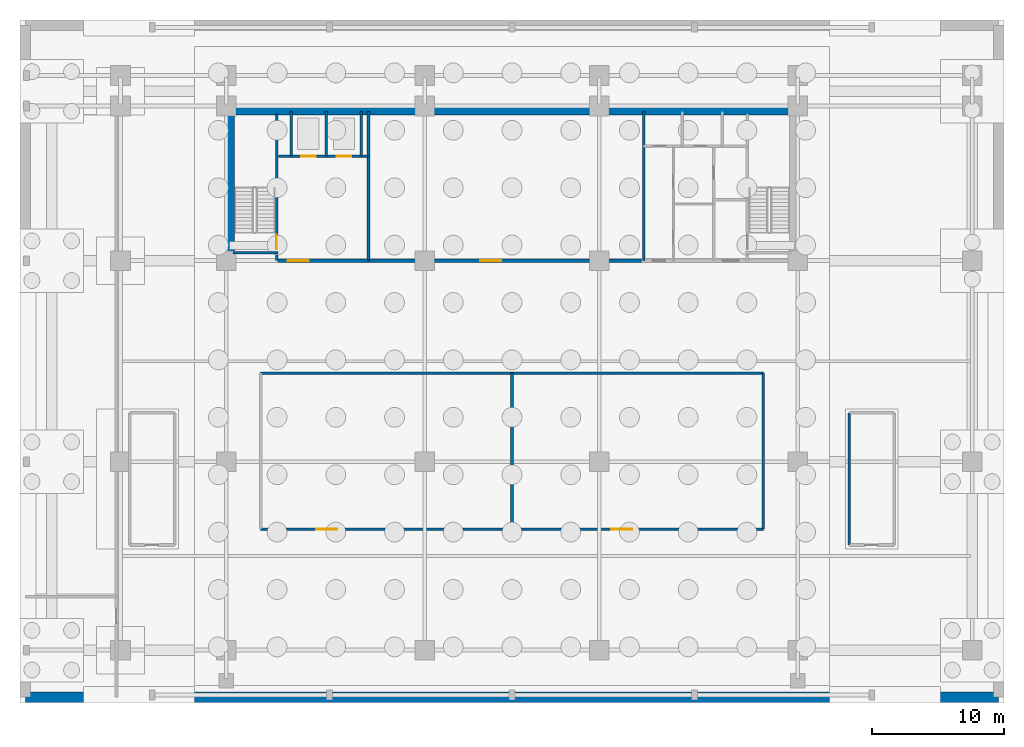
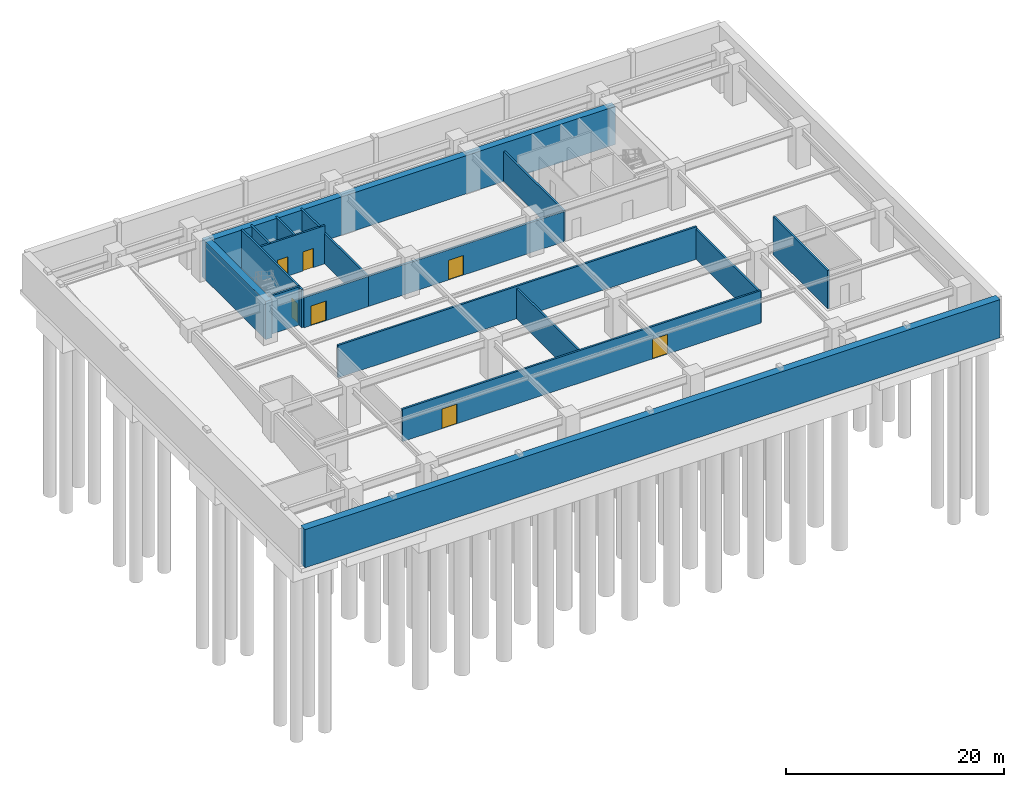
# One storey, part 5 of 9: 18 walls, 7 doors, 7 openings.
"""IFC4 building model written with IfcOpenShell, lengths in metres."""

from ifc_helpers import new_model, si_unit, direction, frame, frame_2d, origin, place, context, subcontext, project, spatial, rectangle, extrude, source, transform, mapped, material, layer, layer_set, type_object, element, fill, save


model = new_model("IFC4")

# Units and contexts
model_context = context("Model", 3, precision=1e-05, world=origin(), true_north=direction((0.0, 1.0)))
body_context = subcontext(model_context, "Body", "Model", "MODEL_VIEW")
ifc_project = project(units=[si_unit("LENGTHUNIT", "METRE"), si_unit("AREAUNIT", "SQUARE_METRE"), si_unit("VOLUMEUNIT", "CUBIC_METRE"), si_unit("PLANEANGLEUNIT", "RADIAN"), si_unit("MASSUNIT", "GRAM", prefix="KILO")], contexts=[model_context])

# Site, building, storey
site_placement = place(None, origin())
site = spatial("IfcSite", under=ifc_project, at=site_placement, CompositionType="ELEMENT")
building_placement = place(site_placement, origin())
building = spatial("IfcBuilding", under=site, at=building_placement, Name="Trelvane Seafront Commons", CompositionType="ELEMENT")
storey_placement = place(building_placement, frame((0.0, 0.0, -13.199951171875)))
storey = spatial("IfcBuildingStorey", under=building, at=storey_placement, Name="B03", CompositionType="ELEMENT", Elevation=-13.199951171875)

# Wall, openings, doors
ifc_material_1 = material(Name="Concrete C40/50", Category="concrete")
ifc_layer_1 = layer(ifc_material_1, 0.199951171875, Name="ARCH-WALL-FIRE200")
ifc_layer_set_1 = layer_set([ifc_layer_1], Name="Concrete C40/50")
wall_type_1 = type_object("IfcWallType", Name="ARCH-WALL-FIRE200", PredefinedType="PARTITIONING", material=ifc_layer_set_1)
wall_1_placement = place(storey_placement, frame((18.199951171875, 13.10009765625, 0.0), z_axis=(0.0, 0.0, 1.0), x_axis=(1.0, 0.0, 0.0)))
wall_1 = element("IfcWall", 1, at=wall_1_placement, inside=storey, type_object=wall_type_1, Name="W-B03-BM-IS-S-034", PredefinedType="PARTITIONING", context=body_context, shape_type="SweptSolid", body=[
    extrude(rectangle(XDim=38.0, YDim=0.199951171875, at=frame_2d((19.0, 0.0))), origin(), (0.0, 0.0, 1.0), 3.6298828125),
])
opening_1_placement = place(wall_1_placement, frame((4.199951171875, 0.0, 0.0)))
opening_1 = element("IfcOpeningElement", 2, at=opening_1_placement, cuts=wall_1, Name="Opening FD-B03-17", PredefinedType="OPENING", context=body_context, shape_type="SweptSolid", body=[
    extrude(rectangle(XDim=1.60009765625, YDim=2.199951171875, at=frame_2d((0.800048828125, 1.10009765625))), frame((0.0, 0.10986328125, 0.0), z_axis=(0.0, -1.0, 0.0), x_axis=(1.0, 0.0, 0.0)), (0.0, 0.0, 1.0), 0.219970703125),
])
opening_2_placement = place(wall_1_placement, frame((26.5, 0.0, 0.0)))
opening_2 = element("IfcOpeningElement", 3, at=opening_2_placement, cuts=wall_1, Name="Opening FD-B03-18", PredefinedType="OPENING", context=body_context, shape_type="SweptSolid", body=[
    extrude(rectangle(XDim=1.60009765625, YDim=2.199951171875, at=frame_2d((0.800048828125, 1.10009765625))), frame((0.0, 0.10986328125, 0.0), z_axis=(0.0, -1.0, 0.0), x_axis=(1.0, 0.0, 0.0)), (0.0, 0.0, 1.0), 0.219970703125),
])
ifc_material_2 = material(Name="Powder-coated aluminium frame", Category="aluminium")
door_type_1 = type_object("IfcDoorType", Name="ARCH-DR-FD60-1600", OperationType="DOUBLE_DOOR_SINGLE_SWING", PredefinedType="DOOR", material=ifc_material_2)
shared_shape_1 = source(origin(), body_context, "Body", "SweptSolid", [
    extrude(rectangle(XDim=1.60009765625, YDim=2.199951171875, at=frame_2d((0.800048828125, 1.10009765625))), frame((0.0, 0.02490234375, 0.0), z_axis=(0.0, -1.0, 0.0), x_axis=(1.0, 0.0, 0.0)), (0.0, 0.0, 1.0), 0.050048828125),
])
door_1_placement = place(opening_1_placement, origin())
door_1 = element("IfcDoor", 4, at=door_1_placement, inside=storey, type_object=door_type_1, Name="B03 Door 17", OperationType="DOUBLE_DOOR_SINGLE_SWING", OverallHeight=2.199951171875, OverallWidth=1.60009765625, PredefinedType="DOOR", context=body_context, shape_type="MappedRepresentation", body=[
    mapped(shared_shape_1, transform((0.0, 0.0, 0.0), x_axis=(1.0, 0.0, 0.0), y_axis=(0.0, 1.0, 0.0), z_axis=(0.0, 0.0, 1.0), scale=1.0)),
])
fill(opening_1, door_1)
door_2_placement = place(opening_2_placement, origin())
door_2 = element("IfcDoor", 5, at=door_2_placement, inside=storey, type_object=door_type_1, Name="B03 Door 18", OperationType="DOUBLE_DOOR_SINGLE_SWING", OverallHeight=2.199951171875, OverallWidth=1.60009765625, PredefinedType="DOOR", context=body_context, shape_type="MappedRepresentation", body=[
    mapped(shared_shape_1, transform((0.0, 0.0, 0.0), x_axis=(1.0, 0.0, 0.0), y_axis=(0.0, 1.0, 0.0), z_axis=(0.0, 0.0, 1.0), scale=1.0)),
])
fill(opening_2, door_2)

# Walls
wall_2_placement = place(storey_placement, frame((18.199951171875, 24.89990234375, 0.0), z_axis=(0.0, 0.0, 1.0), x_axis=(1.0, 0.0, 0.0)))
element("IfcWall", 6, at=wall_2_placement, inside=storey, type_object=wall_type_1, Name="W-B03-BM-IS-N-035", PredefinedType="PARTITIONING", context=body_context, shape_type="SweptSolid", body=[
    extrude(rectangle(XDim=38.0, YDim=0.199951171875, at=frame_2d((19.0, 0.0))), origin(), (0.0, 0.0, 1.0), 3.6298828125),
])
for number, where, z_axis, x_axis, name in (
    (7, (56.199951171875, 13.10009765625, 0.0), (0.0, 0.0, 1.0), (0.0, 1.0, 0.0), "W-B03-BM-IS-E-037"),
    (8, (37.199951171875, 13.10009765625, 0.0), (0.0, 0.0, 1.0), (0.0, 1.0, 0.0), "W-B03-BM-IS-M-038"),
):
    element("IfcWall", number, at=place(storey_placement, frame(where, z_axis=z_axis, x_axis=x_axis)), inside=storey, type_object=wall_type_1, Name=name, PredefinedType="PARTITIONING", context=body_context, shape_type="SweptSolid", body=[
        extrude(rectangle(XDim=11.7998046875, YDim=0.199951171875, at=frame_2d((5.89990234375, 0.0))), origin(), (0.0, 0.0, 1.0), 3.3798828125),
    ])

# Wall, opening, door
ifc_layer_2 = layer(ifc_material_1, 0.25, Name="ARCH-WALL-FIRE250")
ifc_layer_set_2 = layer_set([ifc_layer_2], Name="Concrete C40/50")
wall_type_2 = type_object("IfcWallType", Name="ARCH-WALL-FIRE250", PredefinedType="PARTITIONING", material=ifc_layer_set_2)
wall_3_placement = place(storey_placement, frame((19.5, 33.39990234375, 0.0), z_axis=(0.0, 0.0, 1.0), x_axis=(1.0, 0.0, 0.0)))
wall_3 = element("IfcWall", 9, at=wall_3_placement, inside=storey, type_object=wall_type_2, Name="W-B03-CS-FFL-021", PredefinedType="PARTITIONING", context=body_context, shape_type="SweptSolid", body=[
    extrude(rectangle(XDim=6.800048828125, YDim=0.25, at=frame_2d((3.39990234375, 0.0))), origin(), (0.0, 0.0, 1.0), 3.3798828125),
])
opening_3_placement = place(wall_3_placement, frame((0.75, 0.0, 0.0)))
opening_3 = element("IfcOpeningElement", 10, at=opening_3_placement, cuts=wall_3, Name="Opening FD-B03-07", PredefinedType="OPENING", context=body_context, shape_type="SweptSolid", body=[
    extrude(rectangle(XDim=1.60009765625, YDim=2.199951171875, at=frame_2d((0.800048828125, 1.10009765625))), frame((0.0, 0.135009765625, 0.0), z_axis=(0.0, -1.0, 0.0), x_axis=(1.0, 0.0, 0.0)), (0.0, 0.0, 1.0), 0.27001953125),
])
door_3_placement = place(opening_3_placement, origin())
door_3 = element("IfcDoor", 11, at=door_3_placement, inside=storey, type_object=door_type_1, Name="B03 Firefighting Lift Lobby Double Fire Door", OperationType="DOUBLE_DOOR_SINGLE_SWING", OverallHeight=2.199951171875, OverallWidth=1.60009765625, PredefinedType="DOOR", context=body_context, shape_type="MappedRepresentation", body=[
    mapped(shared_shape_1, transform((0.0, 0.0, 0.0), x_axis=(1.0, 0.0, 0.0), y_axis=(0.0, 1.0, 0.0), z_axis=(0.0, 0.0, 1.0), scale=1.0)),
])
fill(opening_3, door_3)

wall_4_placement = place(storey_placement, frame((26.300048828125, 33.39990234375, 0.0), z_axis=(0.0, 0.0, 1.0), x_axis=(1.0, 0.0, 0.0)))
wall_4 = element("IfcWall", 12, at=wall_4_placement, inside=storey, type_object=wall_type_2, Name="W-B03-CS-MID-023", PredefinedType="PARTITIONING", context=body_context, shape_type="SweptSolid", body=[
    extrude(rectangle(XDim=20.699951171875, YDim=0.25, at=frame_2d((10.35009765625, 0.0))), origin(), (0.0, 0.0, 1.0), 3.3798828125),
])
opening_4_placement = place(wall_4_placement, frame((8.5, 0.0, 0.0)))
opening_4 = element("IfcOpeningElement", 13, at=opening_4_placement, cuts=wall_4, Name="Opening FD-B03-08", PredefinedType="OPENING", context=body_context, shape_type="SweptSolid", body=[
    extrude(rectangle(XDim=1.60009765625, YDim=2.199951171875, at=frame_2d((0.800048828125, 1.10009765625))), frame((0.0, 0.135009765625, 0.0), z_axis=(0.0, -1.0, 0.0), x_axis=(1.0, 0.0, 0.0)), (0.0, 0.0, 1.0), 0.27001953125),
])
door_4_placement = place(opening_4_placement, origin())
door_4 = element("IfcDoor", 14, at=door_4_placement, inside=storey, type_object=door_type_1, Name="B03 Core Technical Room Door", OperationType="DOUBLE_DOOR_SINGLE_SWING", OverallHeight=2.199951171875, OverallWidth=1.60009765625, PredefinedType="DOOR", context=body_context, shape_type="MappedRepresentation", body=[
    mapped(shared_shape_1, transform((0.0, 0.0, 0.0), x_axis=(1.0, 0.0, 0.0), y_axis=(0.0, 1.0, 0.0), z_axis=(0.0, 0.0, 1.0), scale=1.0)),
])
fill(opening_4, door_4)

# Wall, openings, doors
ifc_layer_3 = layer(ifc_material_1, 0.199951171875, Name="ARCH-WALL-SHAFT200")
ifc_layer_set_3 = layer_set([ifc_layer_3], Name="Concrete C40/50")
wall_type_3 = type_object("IfcWallType", Name="ARCH-WALL-SHAFT200", PredefinedType="SOLIDWALL", material=ifc_layer_set_3)
wall_5_placement = place(storey_placement, frame((19.550048828125, 41.300048828125, 0.0), z_axis=(0.0, 0.0, 1.0), x_axis=(1.0, 0.0, 0.0)))
wall_5 = element("IfcWall", 15, at=wall_5_placement, inside=storey, type_object=wall_type_3, Name="W-B03-FFL-FRONT-016", PredefinedType="SOLIDWALL", context=body_context, shape_type="SweptSolid", body=[
    extrude(rectangle(XDim=6.75, YDim=0.199951171875, at=frame_2d((3.375, 0.0))), origin(), (0.0, 0.0, 1.0), 4.280029296875),
])
opening_5_placement = place(wall_5_placement, frame((1.699951171875, 0.0, 0.0)))
opening_5 = element("IfcOpeningElement", 16, at=opening_5_placement, cuts=wall_5, Name="Opening LD-FF1-B03", PredefinedType="OPENING", context=body_context, shape_type="SweptSolid", body=[
    extrude(rectangle(XDim=1.10009765625, YDim=2.14990234375, at=frame_2d((0.550048828125, 1.074951171875))), frame((0.0, 0.10986328125, 0.0), z_axis=(0.0, -1.0, 0.0), x_axis=(1.0, 0.0, 0.0)), (0.0, 0.0, 1.0), 0.219970703125),
])
opening_6_placement = place(wall_5_placement, frame((4.39990234375, 0.0, 0.0)))
opening_6 = element("IfcOpeningElement", 17, at=opening_6_placement, cuts=wall_5, Name="Opening LD-FF2-B03", PredefinedType="OPENING", context=body_context, shape_type="SweptSolid", body=[
    extrude(rectangle(XDim=1.10009765625, YDim=2.14990234375, at=frame_2d((0.550048828125, 1.074951171875))), frame((0.0, 0.10986328125, 0.0), z_axis=(0.0, -1.0, 0.0), x_axis=(1.0, 0.0, 0.0)), (0.0, 0.0, 1.0), 0.219970703125),
])
ifc_material_3 = material(Name="Stainless steel balustrade", Category="steel")
door_type_2 = type_object("IfcDoorType", Name="ARCH-DR-LD1100", OperationType="DOUBLE_DOOR_SLIDING", PredefinedType="DOOR", material=ifc_material_3)
shared_shape_2 = source(origin(), body_context, "Body", "SweptSolid", [
    extrude(rectangle(XDim=1.10009765625, YDim=2.14990234375, at=frame_2d((0.550048828125, 1.074951171875))), frame((0.0, 0.02490234375, 0.0), z_axis=(0.0, -1.0, 0.0), x_axis=(1.0, 0.0, 0.0)), (0.0, 0.0, 1.0), 0.050048828125),
])
door_5_placement = place(opening_5_placement, origin())
door_5 = element("IfcDoor", 18, at=door_5_placement, inside=storey, type_object=door_type_2, Name="B03 Firefighting Lift FFL-1 Landing Door", OperationType="DOUBLE_DOOR_SLIDING", OverallHeight=2.14990234375, OverallWidth=1.10009765625, PredefinedType="DOOR", context=body_context, shape_type="MappedRepresentation", body=[
    mapped(shared_shape_2, transform((0.0, 0.0, 0.0), x_axis=(1.0, 0.0, 0.0), y_axis=(0.0, 1.0, 0.0), z_axis=(0.0, 0.0, 1.0), scale=1.0)),
])
fill(opening_5, door_5)
door_6_placement = place(opening_6_placement, origin())
door_6 = element("IfcDoor", 19, at=door_6_placement, inside=storey, type_object=door_type_2, Name="B03 Firefighting Lift FFL-2 Landing Door", OperationType="DOUBLE_DOOR_SLIDING", OverallHeight=2.14990234375, OverallWidth=1.10009765625, PredefinedType="DOOR", context=body_context, shape_type="MappedRepresentation", body=[
    mapped(shared_shape_2, transform((0.0, 0.0, 0.0), x_axis=(1.0, 0.0, 0.0), y_axis=(0.0, 1.0, 0.0), z_axis=(0.0, 0.0, 1.0), scale=1.0)),
])
fill(opening_6, door_6)

# Walls
for number, where, z_axis, x_axis, name in (
    (20, (20.5, 41.300048828125, 0.0), (0.0, 0.0, 1.0), (0.0, 1.0, 0.0), "W-B03-FFL-SH-W-017"),
    (21, (23.14990234375, 41.300048828125, 0.0), (0.0, 0.0, 1.0), (0.0, 1.0, 0.0), "W-B03-FFL-DIV-018"),
    (22, (25.800048828125, 41.300048828125, 0.0), (0.0, 0.0, 1.0), (0.0, 1.0, 0.0), "W-B03-FFL-SH-E-019"),
):
    element("IfcWall", number, at=place(storey_placement, frame(where, z_axis=z_axis, x_axis=x_axis)), inside=storey, type_object=wall_type_3, Name=name, PredefinedType="SOLIDWALL", context=body_context, shape_type="SweptSolid", body=[
        extrude(rectangle(XDim=3.39990234375, YDim=0.199951171875, at=frame_2d((1.699951171875, 0.0))), origin(), (0.0, 0.0, 1.0), 4.280029296875),
    ])
for number, where, z_axis, x_axis, name in (
    (23, (26.35009765625, 33.39990234375, 0.0), (0.0, 0.0, 1.0), (0.0, 1.0, 0.0), "W-B03-FFL-EAST-020"),
    (24, (47.14990234375, 33.39990234375, 0.0), (0.0, 0.0, 1.0), (0.0, 1.0, 0.0), "W-B03-RSR-W-BM-022"),
):
    element("IfcWall", number, at=place(storey_placement, frame(where, z_axis=z_axis, x_axis=x_axis)), inside=storey, type_object=wall_type_3, Name=name, PredefinedType="SOLIDWALL", context=body_context, shape_type="SweptSolid", body=[
        extrude(rectangle(XDim=11.300048828125, YDim=0.199951171875, at=frame_2d((5.64990234375, 0.0))), origin(), (0.0, 0.0, 1.0), 3.3798828125),
    ])
ifc_material_4 = material(Name="Concrete C60/75", Category="concrete")
ifc_layer_4 = layer(ifc_material_4, 0.699951171875, Name="STR-WALL-CORE700")
ifc_layer_set_4 = layer_set([ifc_layer_4], Name="Concrete C60/75")
wall_type_4 = type_object("IfcWallType", Name="STR-WALL-CORE700", PredefinedType="SHEAR", material=ifc_layer_set_4)
wall_6_placement = place(storey_placement, frame((15.5, 44.75, 0.0), z_axis=(0.0, 0.0, 1.0), x_axis=(1.0, 0.0, 0.0)))
element("IfcWall", 25, at=wall_6_placement, inside=storey, type_object=wall_type_4, Name="W-B03-CN-ALL-001", PredefinedType="SHEAR", context=body_context, shape_type="SweptSolid", body=[
    extrude(rectangle(XDim=43.39990234375, YDim=0.699951171875, at=frame_2d((21.699951171875, 0.0))), origin(), (0.0, 0.0, 1.0), 4.280029296875),
])
wall_7_placement = place(storey_placement, frame((15.85009765625, 33.39990234375, 0.0), z_axis=(0.0, 0.0, 1.0), x_axis=(0.0, 1.0, 0.0)))
element("IfcWall", 26, at=wall_7_placement, inside=storey, type_object=wall_type_4, Name="W-B03-CW-END-002", PredefinedType="SHEAR", context=body_context, shape_type="SweptSolid", body=[
    extrude(rectangle(XDim=11.7001953125, YDim=0.699951171875, at=frame_2d((5.85009765625, 0.0))), origin(), (0.0, 0.0, 1.0), 4.280029296875),
])
ifc_material_5 = material(Name="Concrete C50/60", Category="concrete")
ifc_layer_5 = layer(ifc_material_5, 0.800048828125, Name="STR-WALL-RET800")
ifc_layer_set_5 = layer_set([ifc_layer_5], Name="Concrete C50/60")
wall_type_5 = type_object("IfcWallType", Name="STR-WALL-RET800", PredefinedType="USERDEFINED", material=ifc_layer_set_5)
wall_8_placement = place(storey_placement, frame((0.39990234375, 0.39990234375, 0.0), z_axis=(0.0, 0.0, 1.0), x_axis=(1.0, 0.0, 0.0)))
element("IfcWall", 27, at=wall_8_placement, inside=storey, type_object=wall_type_5, Name="RET-B03-01", ObjectType="RETAINING WALL", PredefinedType="USERDEFINED", context=body_context, shape_type="SweptSolid", body=[
    extrude(rectangle(XDim=73.60009765625, YDim=0.800048828125, at=frame_2d((36.800048828125, 0.0))), origin(), (0.0, 0.0, 1.0), 4.280029296875),
])
ifc_layer_6 = layer(ifc_material_5, 0.199951171875, Name="STR-WALL-STAIR200")
ifc_layer_set_6 = layer_set([ifc_layer_6], Name="Concrete C50/60")
wall_type_6 = type_object("IfcWallType", Name="STR-WALL-STAIR200", PredefinedType="SHEAR", material=ifc_layer_set_6)
wall_9_placement = place(storey_placement, frame((16.10009765625, 34.0, 0.0), z_axis=(0.0, 0.0, 1.0), x_axis=(1.0, 0.0, 0.0)))
element("IfcWall", 28, at=wall_9_placement, inside=storey, type_object=wall_type_6, Name="W-B03-ST1-S-004", PredefinedType="SHEAR", context=body_context, shape_type="SweptSolid", body=[
    extrude(rectangle(XDim=3.39990234375, YDim=0.199951171875, at=frame_2d((1.699951171875, 0.0))), origin(), (0.0, 0.0, 1.0), 4.280029296875),
])

# Wall, opening, door
wall_10_placement = place(storey_placement, frame((19.39990234375, 33.39990234375, 0.0), z_axis=(0.0, 0.0, 1.0), x_axis=(0.0, 1.0, 0.0)))
wall_10 = element("IfcWall", 29, at=wall_10_placement, inside=storey, type_object=wall_type_6, Name="W-B03-ST1-E-005", PredefinedType="SHEAR", context=body_context, shape_type="SweptSolid", body=[
    extrude(rectangle(XDim=11.10009765625, YDim=0.199951171875, at=frame_2d((5.550048828125, 0.0))), origin(), (0.0, 0.0, 1.0), 4.280029296875),
])
opening_7_placement = place(wall_10_placement, frame((0.85009765625, 0.0, 0.0)))
opening_7 = element("IfcOpeningElement", 30, at=opening_7_placement, cuts=wall_10, Name="Opening ST-D1-B03", PredefinedType="OPENING", context=body_context, shape_type="SweptSolid", body=[
    extrude(rectangle(XDim=1.10009765625, YDim=2.14990234375, at=frame_2d((0.550048828125, 1.074951171875))), frame((0.0, 0.10986328125, 0.0), z_axis=(0.0, -1.0, 0.0), x_axis=(1.0, 0.0, 0.0)), (0.0, 0.0, 1.0), 0.219970703125),
])
door_type_3 = type_object("IfcDoorType", Name="ARCH-DR-FD90-1100", OperationType="NOTDEFINED", PredefinedType="DOOR", material=ifc_material_2)
door_7_placement = place(opening_7_placement, origin())
door_7 = element("IfcDoor", 31, at=door_7_placement, inside=storey, type_object=door_type_3, Name="B03 Stair ST-1 Lobby Fire Door", OperationType="SINGLE_SWING_LEFT", OverallHeight=2.14990234375, OverallWidth=1.10009765625, PredefinedType="DOOR", context=body_context, shape_type="MappedRepresentation", body=[
    mapped(shared_shape_2, transform((0.0, 0.0, 0.0), x_axis=(1.0, 0.0, 0.0), y_axis=(0.0, 1.0, 0.0), z_axis=(0.0, 0.0, 1.0), scale=1.0)),
])
fill(opening_7, door_7)

# Wall
wall_11_placement = place(storey_placement, frame((62.699951171875, 11.89990234375, 0.0), z_axis=(0.0, 0.0, 1.0), x_axis=(0.0, 1.0, 0.0)))
element("IfcWall", 32, at=wall_11_placement, inside=storey, type_object=wall_type_6, Name="W-B03-ST4B-W-012", PredefinedType="SHEAR", context=body_context, shape_type="SweptSolid", body=[
    extrude(rectangle(XDim=10.0, YDim=0.199951171875, at=frame_2d((5.0, 0.0))), origin(), (0.0, 0.0, 1.0), 4.280029296875),
])

save(model, "model.ifc")
